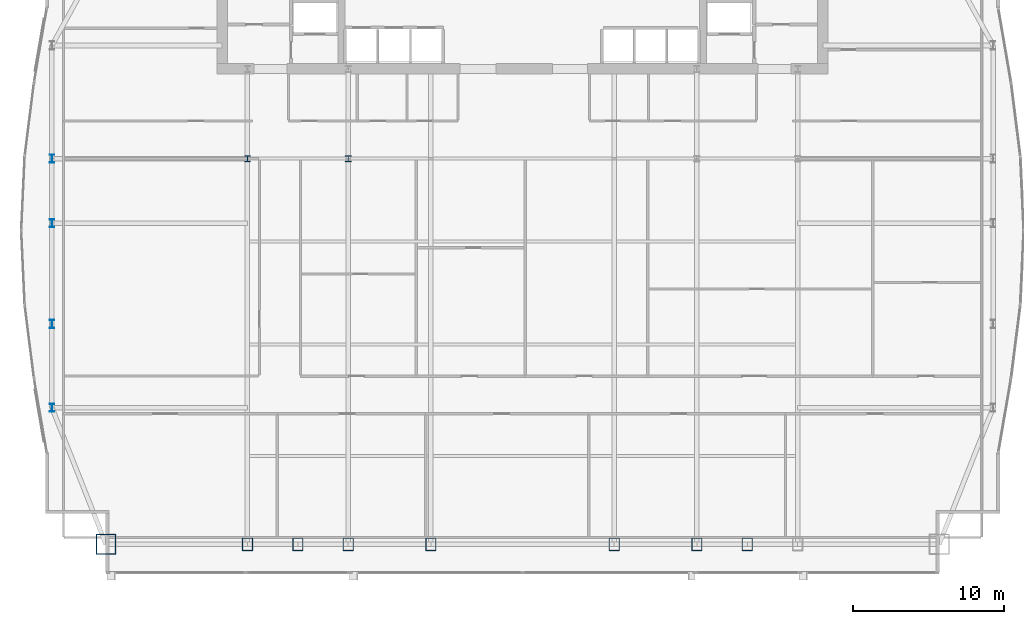
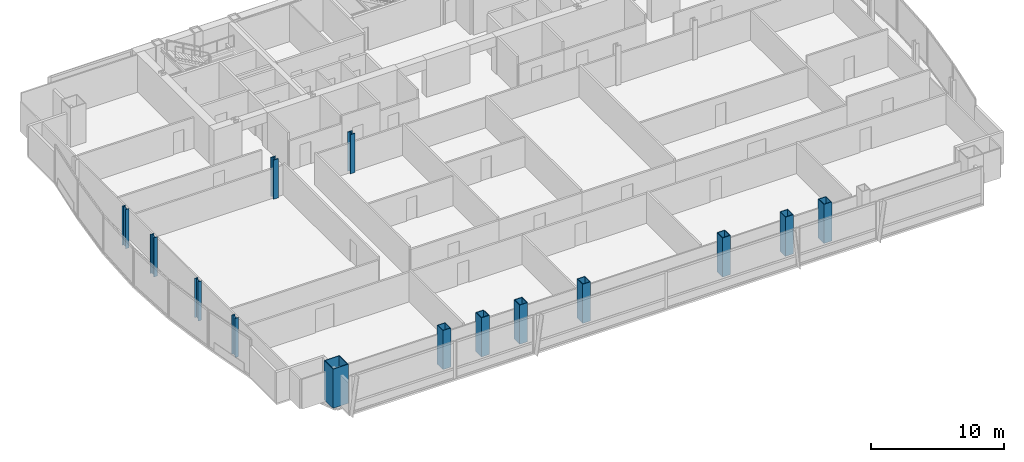
# One storey, part 1 of 29: 14 columns.
"""IFC4 building model written with IfcOpenShell, lengths in metres."""

import ifcopenshell
import ifcopenshell.guid

model = None  # the IFC model being written
_history = None  # IfcOwnerHistory: only IFC2X3 demands one
_inside = {}  # id of a spatial element -> (the spatial element, [elements in it])
_under = {}  # id of a project, library or spatial element -> (it, [spatial elements below it])
_declared = {}  # id of a project -> (the project, [libraries it declares])
_typed = {}  # id of a type object -> (the type object, [elements of that type])
_made_of = {}  # id of a material, layer set ... -> (it, [elements and type objects made of it])


def new_model(schema):
    """Start an empty IFC model of exactly this schema.

    Asked for "IFC4X3", IfcOpenShell would pick the latest addendum, in which some entities
    have other attributes; the version numbers below select the first issue.
    IFC2X3 requires an IfcOwnerHistory on every rooted entity: one is made here for all.
    """
    global model, _history
    if schema == "IFC4X3":
        model = ifcopenshell.file(schema_version=(4, 3, 0, 0))
    else:
        model = ifcopenshell.file(schema=schema)
    _inside.clear()
    _under.clear()
    _declared.clear()
    _typed.clear()
    _made_of.clear()
    _history = None
    if model.schema == "IFC2X3":
        org = make("IfcOrganization", Name="unknown")
        user = make(
            "IfcPersonAndOrganization",
            ThePerson=make("IfcPerson", FamilyName="unknown"),
            TheOrganization=org,
        )
        app = make(
            "IfcApplication",
            ApplicationDeveloper=org,
            Version="unknown",
            ApplicationFullName="unknown",
            ApplicationIdentifier="unknown",
        )
        _history = make(
            "IfcOwnerHistory",
            OwningUser=user,
            OwningApplication=app,
            ChangeAction="ADDED",
            CreationDate=0,
        )
    return model


def make(cls, **values):
    """One entity of the class cls with the attributes given. An attribute that is None is left unset."""
    return model.create_entity(
        cls, **{name: value for name, value in values.items() if value is not None}
    )


def rooted(cls, **values):
    """An entity with a GlobalId (a new one), such as an element, a storey or a relation."""
    return make(cls, GlobalId=ifcopenshell.guid.new(), OwnerHistory=_history, **values)


def si_unit(unit_type, name, prefix=None):
    """IfcSIUnit, for example si_unit("LENGTHUNIT", "METRE", prefix="MILLI")."""
    return make("IfcSIUnit", UnitType=unit_type, Prefix=prefix, Name=name)


def assignment(units):
    """IfcUnitAssignment: the units of a project."""
    return None if units is None else make("IfcUnitAssignment", Units=units)


def point(xyz):
    """IfcCartesianPoint."""
    return None if xyz is None else make("IfcCartesianPoint", Coordinates=xyz)


def direction(xyz):
    """IfcDirection."""
    return None if xyz is None else make("IfcDirection", DirectionRatios=xyz)


def frame(location, z_axis=None, x_axis=None):
    """IfcAxis2Placement3D, a coordinate frame: its origin and axes. An axis left out is left unset."""
    return make(
        "IfcAxis2Placement3D",
        Location=point(location),
        Axis=direction(z_axis),
        RefDirection=direction(x_axis),
    )


def frame_2d(location, x_axis=None):
    """IfcAxis2Placement2D, a coordinate frame in the plane: its origin and x axis."""
    return make(
        "IfcAxis2Placement2D", Location=point(location), RefDirection=direction(x_axis)
    )


def origin():
    """The frame at (0, 0, 0) with its axes left unset."""
    return frame((0.0, 0.0, 0.0))


def origin_2d():
    """The frame at (0, 0) in the plane with its x axis left unset."""
    return frame_2d((0.0, 0.0))


def place(relative_to, where):
    """IfcLocalPlacement: puts the frame where relative to a parent placement (None: the world)."""
    return make(
        "IfcLocalPlacement", PlacementRelTo=relative_to, RelativePlacement=where
    )


def context(
    kind, dimensions, precision=None, world=None, true_north=None, identifier=None
):
    """IfcGeometricRepresentationContext, for example the 3D "Model" context."""
    return make(
        "IfcGeometricRepresentationContext",
        ContextIdentifier=identifier,
        ContextType=kind,
        CoordinateSpaceDimension=dimensions,
        Precision=precision,
        WorldCoordinateSystem=world,
        TrueNorth=true_north,
    )


def subcontext(parent, identifier, kind, view, scale=None):
    """IfcGeometricRepresentationSubContext, for example "Body" below "Model"."""
    return make(
        "IfcGeometricRepresentationSubContext",
        ContextIdentifier=identifier,
        ContextType=kind,
        ParentContext=parent,
        TargetScale=scale,
        TargetView=view,
    )


def project(units=None, contexts=None):
    """IfcProject with its units and contexts."""
    return rooted(
        "IfcProject",
        Name="project",
        RepresentationContexts=contexts,
        UnitsInContext=assignment(units),
    )


def spatial(cls, under=None, at=None, **own):
    """A site, building, storey or space (cls), placed at a placement, below another one or the project."""
    s = rooted(cls, ObjectPlacement=at, **own)
    if under is not None:
        _under.setdefault(under.id(), (under, []))[1].append(s)
    return s


def profile(cls, at=None, kind="AREA", **sizes):
    """A parametric profile (cls). Its sizes go by their IFC names, for example OverallWidth=200.0."""
    return make(cls, ProfileType=kind, Position=at, **sizes)


def hollow_rectangle(**sizes):
    """IfcRectangleHollowProfileDef."""
    return profile("IfcRectangleHollowProfileDef", **sizes)


def i_section(**sizes):
    """IfcIShapeProfileDef."""
    return profile("IfcIShapeProfileDef", **sizes)


def extrude(swept, where, along, depth):
    """IfcExtrudedAreaSolid: the profile swept, set in the frame where, extruded along a direction by depth."""
    return make(
        "IfcExtrudedAreaSolid",
        SweptArea=swept,
        Position=where,
        ExtrudedDirection=direction(along),
        Depth=depth,
    )


def shape(context_of_items, identifier, shape_type, items):
    """IfcShapeRepresentation: the items that make up one representation, for example the "Body"."""
    return make(
        "IfcShapeRepresentation",
        ContextOfItems=context_of_items,
        RepresentationIdentifier=identifier,
        RepresentationType=shape_type,
        Items=items,
    )


def material(Name=None, Category=None):
    """IfcMaterial."""
    return make("IfcMaterial", Name=Name, Category=Category)


def material_profile(
    of_material, cross_section, Name=None, Category=None, Priority=None
):
    """IfcMaterialProfile: a cross section and its material."""
    return make(
        "IfcMaterialProfile",
        Name=Name,
        Material=of_material,
        Profile=cross_section,
        Priority=Priority,
        Category=Category,
    )


def profile_set(profiles, Name=None, composite=None):
    """IfcMaterialProfileSet."""
    return make(
        "IfcMaterialProfileSet",
        Name=Name,
        MaterialProfiles=profiles,
        CompositeProfile=composite,
    )


def made_of(thing, what):
    """Note that an element or type object is made of a material, layer set ...; save() writes the relation."""
    if what is not None:
        _made_of.setdefault(what.id(), (what, []))[1].append(thing)
    return thing


def type_object(cls, material=None, **own):
    """A type object (cls), such as IfcWallType, which elements share."""
    return made_of(rooted(cls, **own), material)


def element(
    cls,
    number,
    at=None,
    inside=None,
    cuts=None,
    type_object=None,
    material=None,
    context=None,
    identifier="Body",
    shape_type=None,
    held_by="IfcProductDefinitionShape",
    body=None,
    shapes=None,
    **own,
):
    """One element of the class cls, such as IfcWall. Its Tag is "e" and its number.

    at: its placement. inside: the storey or other place that contains it. cuts: it is an
    opening in that element (IfcRelVoidsElement). A single representation is given by context,
    identifier, shape_type and body (its items); several are given by shapes. held_by: the class
    of the entity that holds the representations. save() writes the other relations.
    """
    e = rooted(cls, Tag="e%d" % number, ObjectPlacement=at, **own)
    if body is not None:
        shapes = [shape(context, identifier, shape_type, body)]
    if shapes is not None:
        e.Representation = make(held_by, Representations=shapes)
    if inside is not None:
        _inside.setdefault(inside.id(), (inside, []))[1].append(e)
    if cuts is not None:
        rooted(
            "IfcRelVoidsElement", RelatingBuildingElement=cuts, RelatedOpeningElement=e
        )
    if type_object is not None:
        _typed.setdefault(type_object.id(), (type_object, []))[1].append(e)
    return made_of(e, material)


def aggregate(whole, parts):
    """IfcRelAggregates: a whole, such as a stair, and the parts it consists of."""
    return rooted("IfcRelAggregates", RelatingObject=whole, RelatedObjects=parts)


def save(model, path):
    """Write the relations noted so far, then the file.

    IfcRelAggregates (storeys below a building ...), IfcRelContainedInSpatialStructure (elements
    in a storey), IfcRelDefinesByType, IfcRelAssociatesMaterial and IfcRelDeclares: one each for
    every whole, place, type object, material and project.
    """
    for whole, parts in _under.values():
        aggregate(whole, parts)
    for where, things in _inside.values():
        rooted(
            "IfcRelContainedInSpatialStructure",
            RelatedElements=things,
            RelatingStructure=where,
        )
    for kind, things in _typed.values():
        rooted("IfcRelDefinesByType", RelatedObjects=things, RelatingType=kind)
    for what, things in _made_of.values():
        rooted("IfcRelAssociatesMaterial", RelatedObjects=things, RelatingMaterial=what)
    for by, libraries in _declared.values():
        rooted("IfcRelDeclares", RelatingContext=by, RelatedDefinitions=libraries)
    model.write(path)


model = new_model("IFC4")

# Units and contexts
model_context = context("Model", 3, precision=1e-05, world=origin(), true_north=direction((0.0, 1.0)))
body_context = subcontext(model_context, "Body", "Model", "MODEL_VIEW")
ifc_project = project(units=[si_unit("LENGTHUNIT", "METRE"), si_unit("AREAUNIT", "SQUARE_METRE"), si_unit("VOLUMEUNIT", "CUBIC_METRE"), si_unit("PLANEANGLEUNIT", "RADIAN"), si_unit("MASSUNIT", "GRAM", prefix="KILO")], contexts=[model_context])

# Site, building, storey
site_placement = place(None, origin())
site = spatial("IfcSite", under=ifc_project, at=site_placement, CompositionType="ELEMENT")
building_placement = place(site_placement, origin())
building = spatial("IfcBuilding", under=site, at=building_placement, Name="Khoronbel Lancet Exchange", CompositionType="ELEMENT")
storey_placement = place(building_placement, frame((0.0, 0.0, 150.60009765625)))
storey = spatial("IfcBuildingStorey", under=building, at=storey_placement, Name="L37", CompositionType="ELEMENT", Elevation=150.60009765625)

# Columns
ifc_material_1 = material(Name="Steel S460", Category="steel")
ifc_material_profile_1 = material_profile(ifc_material_1, hollow_rectangle(XDim=0.699951171875, YDim=0.85009765625, WallThickness=0.050048828125, at=origin_2d()), Name="BOX 850x700x50")
ifc_profile_set_1 = profile_set([ifc_material_profile_1], Name="Steel S460")
column_type_1 = type_object("IfcColumnType", Name="COL-EC2", PredefinedType="COLUMN", material=ifc_profile_set_1)
for number, where, z_axis, x_axis, name in (
    (1, (18.22509765625, 10.14990234375, 0.0), (0.0, 0.0, 1.0), (1.0, 0.0, 0.0), "Structural column SC-W1 L37"),
    (2, (21.5625, 10.14990234375, 0.0), (0.0, 0.0, 1.0), (1.0, 0.0, 0.0), "Structural column SC-WM L37"),
    (3, (24.89990234375, 10.14990234375, 0.0), (0.0, 0.0, 1.0), (1.0, 0.0, 0.0), "Structural column SC-W2 L37"),
    (4, (30.375, 10.14990234375, 0.0), (0.0, 0.0, 1.0), (1.0, 0.0, 0.0), "Structural column SC-C1 L37"),
    (5, (42.52490234375, 10.14990234375, 0.0), (0.0, 0.0, 1.0), (1.0, 0.0, 0.0), "Structural column SC-C2 L37"),
    (6, (48.0, 10.14990234375, 0.0), (0.0, 0.0, 1.0), (1.0, 0.0, 0.0), "Structural column SC-E1 L37"),
    (7, (51.33740234375, 10.14990234375, 0.0), (0.0, 0.0, 1.0), (1.0, 0.0, 0.0), "Structural column SC-EM L37"),
):
    element("IfcColumn", number, at=place(storey_placement, frame(where, z_axis=z_axis, x_axis=x_axis)), inside=storey, type_object=column_type_1, Name=name, PredefinedType="COLUMN", context=body_context, shape_type="SweptSolid", body=[
        extrude(hollow_rectangle(XDim=0.699951171875, YDim=0.85009765625, WallThickness=0.050048828125, at=origin_2d()), origin(), (0.0, 0.0, 1.0), 3.599853515625),
    ])
ifc_material_profile_2 = material_profile(ifc_material_1, i_section(OverallWidth=0.416015625, OverallDepth=0.446044921875, WebThickness=0.0390625, FlangeThickness=0.062744140625, at=origin_2d()), Name="HD 400x509")
ifc_profile_set_2 = profile_set([ifc_material_profile_2], Name="Steel S460")
column_type_2 = type_object("IfcColumnType", Name="COL-IC2", PredefinedType="COLUMN", material=ifc_profile_set_2)
for number, where, z_axis, x_axis, name in (
    (8, (18.22509765625, 35.699951171875, 0.0), (0.0, 0.0, 1.0), (1.0, 0.0, 0.0), "Spine gravity column TC1 L37"),
    (9, (24.89990234375, 35.699951171875, 0.0), (0.0, 0.0, 1.0), (1.0, 0.0, 0.0), "Spine gravity column TC2 L37"),
):
    element("IfcColumn", number, at=place(storey_placement, frame(where, z_axis=z_axis, x_axis=x_axis)), inside=storey, type_object=column_type_2, Name=name, PredefinedType="COLUMN", context=body_context, shape_type="SweptSolid", body=[
        extrude(i_section(OverallWidth=0.416015625, OverallDepth=0.446044921875, WebThickness=0.0390625, FlangeThickness=0.062744140625, at=origin_2d()), origin(), (0.0, 0.0, 1.0), 3.599853515625),
    ])
ifc_material_2 = material(Name="Steel S355", Category="steel")
ifc_material_profile_3 = material_profile(ifc_material_2, i_section(OverallWidth=0.300048828125, OverallDepth=0.550048828125, WebThickness=0.014892578125, FlangeThickness=0.029052734375, at=origin_2d()), Name="HEB 550")
ifc_profile_set_3 = profile_set([ifc_material_profile_3], Name="Steel S355")
column_type_3 = type_object("IfcColumnType", Name="COL-LC1", PredefinedType="COLUMN", material=ifc_profile_set_3)
for number, where, z_axis, x_axis, name in (
    (10, (5.27001953125, 19.199951171875, 0.0), (0.0, 0.0, 1.0), (1.0, 0.0, 0.0), "Structural column WC-1 L37"),
    (11, (5.27001953125, 24.75, 0.0), (0.0, 0.0, 1.0), (1.0, 0.0, 0.0), "Structural column WC-2 L37"),
    (12, (5.27001953125, 31.425048828125, 0.0), (0.0, 0.0, 1.0), (1.0, 0.0, 0.0), "Structural column WC-M L37"),
    (13, (5.27001953125, 35.699951171875, 0.0), (0.0, 0.0, 1.0), (1.0, 0.0, 0.0), "Structural column WC-3 L37"),
):
    element("IfcColumn", number, at=place(storey_placement, frame(where, z_axis=z_axis, x_axis=x_axis)), inside=storey, type_object=column_type_3, Name=name, PredefinedType="COLUMN", context=body_context, shape_type="SweptSolid", body=[
        extrude(i_section(OverallWidth=0.300048828125, OverallDepth=0.550048828125, WebThickness=0.014892578125, FlangeThickness=0.029052734375, at=origin_2d()), origin(), (0.0, 0.0, 1.0), 3.599853515625),
    ])
ifc_material_profile_4 = material_profile(ifc_material_1, hollow_rectangle(XDim=1.35009765625, YDim=1.35009765625, WallThickness=0.06494140625, at=origin_2d()), Name="BOX 1350x1350x65")
ifc_profile_set_4 = profile_set([ifc_material_profile_4], Name="Steel S460")
column_type_4 = type_object("IfcColumnType", Name="COL-MC4", PredefinedType="COLUMN", material=ifc_profile_set_4)
column_placement = place(storey_placement, frame((8.85009765625, 10.14990234375, 0.0), z_axis=(0.0, 0.0, 1.0), x_axis=(1.0, 0.0, 0.0)))
element("IfcColumn", 14, at=column_placement, inside=storey, type_object=column_type_4, Name="Structural column MC-SW L37", PredefinedType="COLUMN", context=body_context, shape_type="SweptSolid", body=[
    extrude(hollow_rectangle(XDim=1.35009765625, YDim=1.35009765625, WallThickness=0.06494140625, at=origin_2d()), origin(), (0.0, 0.0, 1.0), 3.599853515625),
])

save(model, "model.ifc")
